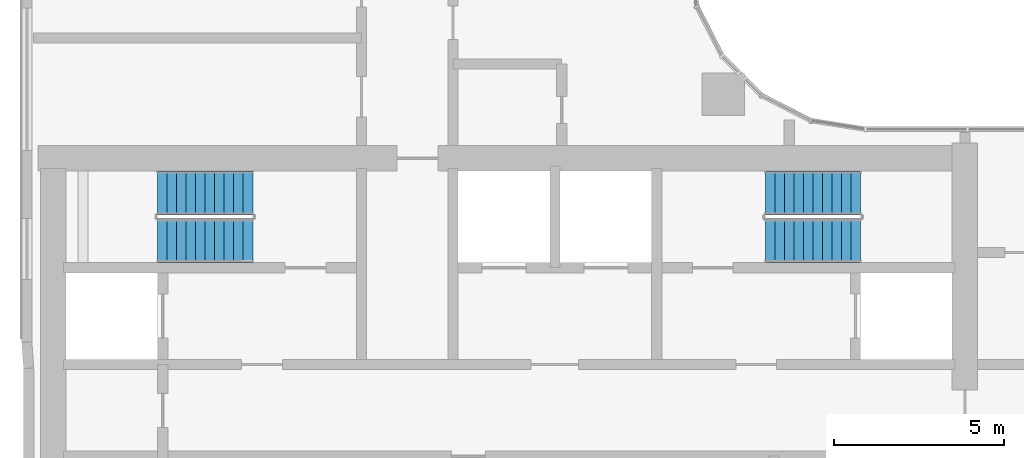
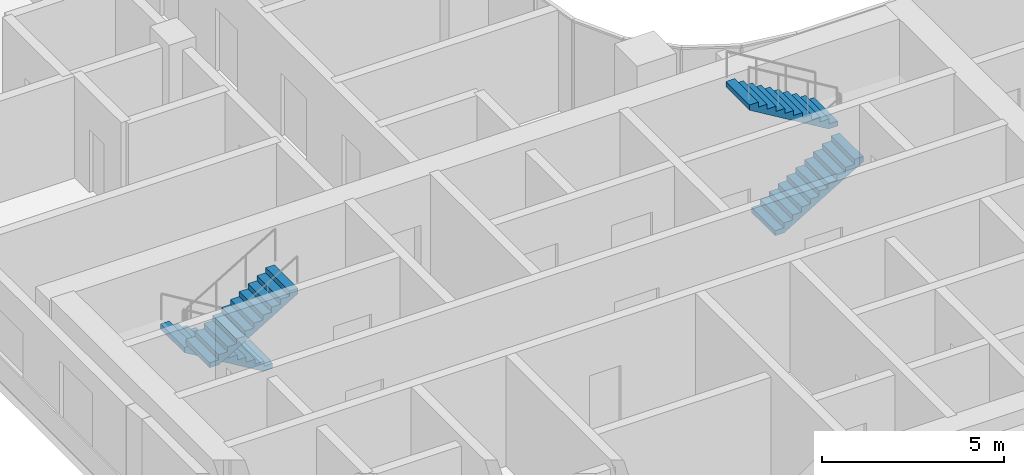
# One storey, part 27 of 35: 4 stair flights, 2 elements without a shape of their own.
"""IFC4 building model written with IfcOpenShell, lengths in metres."""

from ifc_helpers import new_model, si_unit, direction, frame, origin, place, context, subcontext, project, spatial, triangles, source, transform, mapped, material, type_object, element, aggregate, save


model = new_model("IFC4")

# Units and contexts
model_context = context("Model", 3, precision=1e-05, world=origin(), true_north=direction((0.0, 1.0)))
body_context = subcontext(model_context, "Body", "Model", "MODEL_VIEW")
ifc_project = project(units=[si_unit("LENGTHUNIT", "METRE"), si_unit("AREAUNIT", "SQUARE_METRE"), si_unit("VOLUMEUNIT", "CUBIC_METRE"), si_unit("PLANEANGLEUNIT", "RADIAN"), si_unit("MASSUNIT", "GRAM", prefix="KILO")], contexts=[model_context])

# Site, building, storey
site_placement = place(None, origin())
site = spatial("IfcSite", under=ifc_project, at=site_placement, CompositionType="ELEMENT")
building_placement = place(site_placement, origin())
building = spatial("IfcBuilding", under=site, at=building_placement, Name="Ogive Portal Towers", CompositionType="ELEMENT")
storey_placement = place(building_placement, frame((0.0, 0.0, 90.800048828125)))
storey = spatial("IfcBuildingStorey", under=building, at=storey_placement, Name="L21", CompositionType="ELEMENT", Elevation=90.800048828125)

# Stair, stair flights
ifc_material = material(Name="Concrete C40/50", Category="concrete")
stair_type = type_object("IfcStairType", Name="INT-STAIR", PredefinedType="HALF_TURN_STAIR", material=ifc_material)
stair_1_placement = place(storey_placement, origin())
stair_1 = element("IfcStair", 1, at=stair_1_placement, inside=storey, type_object=stair_type, Name="L21 Exit Stair ST-A1", PredefinedType="HALF_TURN_STAIR")
stair_flight_type = type_object("IfcStairFlightType", Name="INT-FLIGHT", PredefinedType="STRAIGHT", material=ifc_material)
shared_shape = source(origin(), body_context, "Body", "Tessellation", [
    triangles([(0.0, -0.650146484375, 0.0), (0.0, -0.376220703125, 0.0), (0.0, -0.192626953125, 0.0), (0.0, -0.081298828125, 0.0), (0.0, -0.024169921875, 0.0), (0.0, -0.003173828125, 0.0), (0.0, 0.0, 0.0), (0.0, 0.0029296875, 0.0), (0.0, 0.02392578125, 0.0), (0.0, 0.0810546875, 0.0), (0.0, 0.1923828125, 0.0), (0.0, 0.3759765625, 0.0), (0.0, 0.64990234375, 0.0), (0.0, -0.650146484375, 0.168212890625), (0.0, -0.376220703125, 0.168212890625), (0.0, -0.192626953125, 0.168212890625), (0.0, -0.081298828125, 0.168212890625), (0.0, -0.024169921875, 0.168212890625), (0.0, -0.003173828125, 0.168212890625), (0.0, 0.0, 0.168212890625), (0.0, 0.0029296875, 0.168212890625), (0.0, 0.02392578125, 0.168212890625), (0.0, 0.0810546875, 0.168212890625), (0.0, 0.1923828125, 0.168212890625), (0.0, 0.3759765625, 0.168212890625), (0.0, 0.64990234375, 0.168212890625), (0.280029296875, -0.650146484375, 0.168212890625), (0.280029296875, -0.376220703125, 0.168212890625), (0.280029296875, -0.192626953125, 0.168212890625), (0.280029296875, -0.081298828125, 0.168212890625), (0.280029296875, -0.024169921875, 0.168212890625), (0.280029296875, -0.003173828125, 0.168212890625), (0.280029296875, 0.0, 0.168212890625), (0.280029296875, 0.0029296875, 0.168212890625), (0.280029296875, 0.02392578125, 0.168212890625), (0.280029296875, 0.0810546875, 0.168212890625), (0.280029296875, 0.1923828125, 0.168212890625), (0.280029296875, 0.3759765625, 0.168212890625), (0.280029296875, 0.64990234375, 0.168212890625), (0.280029296875, -0.650146484375, 0.33642578125), (0.280029296875, -0.376220703125, 0.33642578125), (0.280029296875, -0.192626953125, 0.33642578125), (0.280029296875, -0.081298828125, 0.33642578125), (0.280029296875, -0.024169921875, 0.33642578125), (0.280029296875, -0.003173828125, 0.33642578125), (0.280029296875, 0.0, 0.33642578125), (0.280029296875, 0.0029296875, 0.33642578125), (0.280029296875, 0.02392578125, 0.33642578125), (0.280029296875, 0.0810546875, 0.33642578125), (0.280029296875, 0.1923828125, 0.33642578125), (0.280029296875, 0.3759765625, 0.33642578125), (0.280029296875, 0.64990234375, 0.33642578125), (0.56005859375, -0.650146484375, 0.33642578125), (0.56005859375, -0.376220703125, 0.33642578125), (0.56005859375, -0.192626953125, 0.33642578125), (0.56005859375, -0.081298828125, 0.33642578125), (0.56005859375, -0.024169921875, 0.33642578125), (0.56005859375, -0.003173828125, 0.33642578125), (0.56005859375, 0.0, 0.33642578125), (0.56005859375, 0.0029296875, 0.33642578125), (0.56005859375, 0.02392578125, 0.33642578125), (0.56005859375, 0.0810546875, 0.33642578125), (0.56005859375, 0.1923828125, 0.33642578125), (0.56005859375, 0.3759765625, 0.33642578125), (0.56005859375, 0.64990234375, 0.33642578125), (0.56005859375, -0.650146484375, 0.504638671875), (0.56005859375, -0.376220703125, 0.504638671875), (0.56005859375, -0.192626953125, 0.504638671875), (0.56005859375, -0.081298828125, 0.504638671875), (0.56005859375, -0.024169921875, 0.504638671875), (0.56005859375, -0.003173828125, 0.504638671875), (0.56005859375, 0.0, 0.504638671875), (0.56005859375, 0.0029296875, 0.504638671875), (0.56005859375, 0.02392578125, 0.504638671875), (0.56005859375, 0.0810546875, 0.504638671875), (0.56005859375, 0.1923828125, 0.504638671875), (0.56005859375, 0.3759765625, 0.504638671875), (0.56005859375, 0.64990234375, 0.504638671875), (0.840087890625, -0.650146484375, 0.504638671875), (0.840087890625, -0.376220703125, 0.504638671875), (0.840087890625, -0.192626953125, 0.504638671875), (0.840087890625, -0.081298828125, 0.504638671875), (0.840087890625, -0.024169921875, 0.504638671875), (0.840087890625, -0.003173828125, 0.504638671875), (0.840087890625, 0.0, 0.504638671875), (0.840087890625, 0.0029296875, 0.504638671875), (0.840087890625, 0.02392578125, 0.504638671875), (0.840087890625, 0.0810546875, 0.504638671875), (0.840087890625, 0.1923828125, 0.504638671875), (0.840087890625, 0.3759765625, 0.504638671875), (0.840087890625, 0.64990234375, 0.504638671875), (0.840087890625, -0.650146484375, 0.672607421875), (0.840087890625, -0.376220703125, 0.672607421875), (0.840087890625, -0.192626953125, 0.672607421875), (0.840087890625, -0.081298828125, 0.672607421875), (0.840087890625, -0.024169921875, 0.672607421875), (0.840087890625, -0.003173828125, 0.672607421875), (0.840087890625, 0.0, 0.672607421875), (0.840087890625, 0.0029296875, 0.672607421875), (0.840087890625, 0.02392578125, 0.672607421875), (0.840087890625, 0.0810546875, 0.672607421875), (0.840087890625, 0.1923828125, 0.672607421875), (0.840087890625, 0.3759765625, 0.672607421875), (0.840087890625, 0.64990234375, 0.672607421875), (1.1201171875, -0.650146484375, 0.672607421875), (1.1201171875, -0.376220703125, 0.672607421875), (1.1201171875, -0.192626953125, 0.672607421875), (1.1201171875, -0.081298828125, 0.672607421875), (1.1201171875, -0.024169921875, 0.672607421875), (1.1201171875, -0.003173828125, 0.672607421875), (1.1201171875, 0.0, 0.672607421875), (1.1201171875, 0.0029296875, 0.672607421875), (1.1201171875, 0.02392578125, 0.672607421875), (1.1201171875, 0.0810546875, 0.672607421875), (1.1201171875, 0.1923828125, 0.672607421875), (1.1201171875, 0.3759765625, 0.672607421875), (1.1201171875, 0.64990234375, 0.672607421875), (1.1201171875, -0.650146484375, 0.8408203125), (1.1201171875, -0.376220703125, 0.8408203125), (1.1201171875, -0.192626953125, 0.8408203125), (1.1201171875, -0.081298828125, 0.8408203125), (1.1201171875, -0.024169921875, 0.8408203125), (1.1201171875, -0.003173828125, 0.8408203125), (1.1201171875, 0.0, 0.8408203125), (1.1201171875, 0.0029296875, 0.8408203125), (1.1201171875, 0.02392578125, 0.8408203125), (1.1201171875, 0.0810546875, 0.8408203125), (1.1201171875, 0.1923828125, 0.8408203125), (1.1201171875, 0.3759765625, 0.8408203125), (1.1201171875, 0.64990234375, 0.8408203125), (1.39990234375, -0.650146484375, 0.8408203125), (1.39990234375, -0.376220703125, 0.8408203125), (1.39990234375, -0.192626953125, 0.8408203125), (1.39990234375, -0.081298828125, 0.8408203125), (1.39990234375, -0.024169921875, 0.8408203125), (1.39990234375, -0.003173828125, 0.8408203125), (1.39990234375, 0.0, 0.8408203125), (1.39990234375, 0.0029296875, 0.8408203125), (1.39990234375, 0.02392578125, 0.8408203125), (1.39990234375, 0.0810546875, 0.8408203125), (1.39990234375, 0.1923828125, 0.8408203125), (1.39990234375, 0.3759765625, 0.8408203125), (1.39990234375, 0.64990234375, 0.8408203125), (1.39990234375, -0.650146484375, 1.009033203125), (1.39990234375, -0.376220703125, 1.009033203125), (1.39990234375, -0.192626953125, 1.009033203125), (1.39990234375, -0.081298828125, 1.009033203125), (1.39990234375, -0.024169921875, 1.009033203125), (1.39990234375, -0.003173828125, 1.009033203125), (1.39990234375, 0.0, 1.009033203125), (1.39990234375, 0.0029296875, 1.009033203125), (1.39990234375, 0.02392578125, 1.009033203125), (1.39990234375, 0.0810546875, 1.009033203125), (1.39990234375, 0.1923828125, 1.009033203125), (1.39990234375, 0.3759765625, 1.009033203125), (1.39990234375, 0.64990234375, 1.009033203125), (1.679931640625, -0.650146484375, 1.009033203125), (1.679931640625, -0.376220703125, 1.009033203125), (1.679931640625, -0.192626953125, 1.009033203125), (1.679931640625, -0.081298828125, 1.009033203125), (1.679931640625, -0.024169921875, 1.009033203125), (1.679931640625, -0.003173828125, 1.009033203125), (1.679931640625, 0.0, 1.009033203125), (1.679931640625, 0.0029296875, 1.009033203125), (1.679931640625, 0.02392578125, 1.009033203125), (1.679931640625, 0.0810546875, 1.009033203125), (1.679931640625, 0.1923828125, 1.009033203125), (1.679931640625, 0.3759765625, 1.009033203125), (1.679931640625, 0.64990234375, 1.009033203125), (1.679931640625, -0.650146484375, 1.17724609375), (1.679931640625, -0.376220703125, 1.17724609375), (1.679931640625, -0.192626953125, 1.17724609375), (1.679931640625, -0.081298828125, 1.17724609375), (1.679931640625, -0.024169921875, 1.17724609375), (1.679931640625, -0.003173828125, 1.17724609375), (1.679931640625, 0.0, 1.17724609375), (1.679931640625, 0.0029296875, 1.17724609375), (1.679931640625, 0.02392578125, 1.17724609375), (1.679931640625, 0.0810546875, 1.17724609375), (1.679931640625, 0.1923828125, 1.17724609375), (1.679931640625, 0.3759765625, 1.17724609375), (1.679931640625, 0.64990234375, 1.17724609375), (1.9599609375, -0.650146484375, 1.17724609375), (1.9599609375, -0.376220703125, 1.17724609375), (1.9599609375, -0.192626953125, 1.17724609375), (1.9599609375, -0.081298828125, 1.17724609375), (1.9599609375, -0.024169921875, 1.17724609375), (1.9599609375, -0.003173828125, 1.17724609375), (1.9599609375, 0.0, 1.17724609375), (1.9599609375, 0.0029296875, 1.17724609375), (1.9599609375, 0.02392578125, 1.17724609375), (1.9599609375, 0.0810546875, 1.17724609375), (1.9599609375, 0.1923828125, 1.17724609375), (1.9599609375, 0.3759765625, 1.17724609375), (1.9599609375, 0.64990234375, 1.17724609375), (1.9599609375, -0.650146484375, 1.345458984375), (1.9599609375, -0.376220703125, 1.345458984375), (1.9599609375, -0.192626953125, 1.345458984375), (1.9599609375, -0.081298828125, 1.345458984375), (1.9599609375, -0.024169921875, 1.345458984375), (1.9599609375, -0.003173828125, 1.345458984375), (1.9599609375, 0.0, 1.345458984375), (1.9599609375, 0.0029296875, 1.345458984375), (1.9599609375, 0.02392578125, 1.345458984375), (1.9599609375, 0.0810546875, 1.345458984375), (1.9599609375, 0.1923828125, 1.345458984375), (1.9599609375, 0.3759765625, 1.345458984375), (1.9599609375, 0.64990234375, 1.345458984375), (2.239990234375, -0.650146484375, 1.345458984375), (2.239990234375, -0.376220703125, 1.345458984375), (2.239990234375, -0.192626953125, 1.345458984375), (2.239990234375, -0.081298828125, 1.345458984375), (2.239990234375, -0.024169921875, 1.345458984375), (2.239990234375, -0.003173828125, 1.345458984375), (2.239990234375, 0.0, 1.345458984375), (2.239990234375, 0.0029296875, 1.345458984375), (2.239990234375, 0.02392578125, 1.345458984375), (2.239990234375, 0.0810546875, 1.345458984375), (2.239990234375, 0.1923828125, 1.345458984375), (2.239990234375, 0.3759765625, 1.345458984375), (2.239990234375, 0.64990234375, 1.345458984375), (2.239990234375, -0.650146484375, 1.513671875), (2.239990234375, -0.376220703125, 1.513671875), (2.239990234375, -0.192626953125, 1.513671875), (2.239990234375, -0.081298828125, 1.513671875), (2.239990234375, -0.024169921875, 1.513671875), (2.239990234375, -0.003173828125, 1.513671875), (2.239990234375, 0.0, 1.513671875), (2.239990234375, 0.0029296875, 1.513671875), (2.239990234375, 0.02392578125, 1.513671875), (2.239990234375, 0.0810546875, 1.513671875), (2.239990234375, 0.1923828125, 1.513671875), (2.239990234375, 0.3759765625, 1.513671875), (2.239990234375, 0.64990234375, 1.513671875), (2.52001953125, -0.650146484375, 1.513671875), (2.52001953125, -0.376220703125, 1.513671875), (2.52001953125, -0.192626953125, 1.513671875), (2.52001953125, -0.081298828125, 1.513671875), (2.52001953125, -0.024169921875, 1.513671875), (2.52001953125, -0.003173828125, 1.513671875), (2.52001953125, 0.0, 1.513671875), (2.52001953125, 0.0029296875, 1.513671875), (2.52001953125, 0.02392578125, 1.513671875), (2.52001953125, 0.0810546875, 1.513671875), (2.52001953125, 0.1923828125, 1.513671875), (2.52001953125, 0.3759765625, 1.513671875), (2.52001953125, 0.64990234375, 1.513671875), (2.52001953125, -0.650146484375, 1.681884765625), (2.52001953125, -0.376220703125, 1.681884765625), (2.52001953125, -0.192626953125, 1.681884765625), (2.52001953125, -0.081298828125, 1.681884765625), (2.52001953125, -0.024169921875, 1.681884765625), (2.52001953125, -0.003173828125, 1.681884765625), (2.52001953125, 0.0, 1.681884765625), (2.52001953125, 0.0029296875, 1.681884765625), (2.52001953125, 0.02392578125, 1.681884765625), (2.52001953125, 0.0810546875, 1.681884765625), (2.52001953125, 0.1923828125, 1.681884765625), (2.52001953125, 0.3759765625, 1.681884765625), (2.52001953125, 0.64990234375, 1.681884765625), (2.800048828125, -0.650146484375, 1.681884765625), (2.800048828125, -0.376220703125, 1.681884765625), (2.800048828125, -0.192626953125, 1.681884765625), (2.800048828125, -0.081298828125, 1.681884765625), (2.800048828125, -0.024169921875, 1.681884765625), (2.800048828125, -0.003173828125, 1.681884765625), (2.800048828125, 0.0, 1.681884765625), (2.800048828125, 0.0029296875, 1.681884765625), (2.800048828125, 0.02392578125, 1.681884765625), (2.800048828125, 0.0810546875, 1.681884765625), (2.800048828125, 0.1923828125, 1.681884765625), (2.800048828125, 0.3759765625, 1.681884765625), (2.800048828125, 0.64990234375, 1.681884765625), (2.800048828125, -0.650146484375, 1.5068359375), (2.800048828125, -0.376220703125, 1.5068359375), (2.800048828125, -0.192626953125, 1.5068359375), (2.800048828125, -0.081298828125, 1.5068359375), (2.800048828125, -0.024169921875, 1.5068359375), (2.800048828125, -0.003173828125, 1.5068359375), (2.800048828125, 0.0, 1.5068359375), (2.800048828125, 0.0029296875, 1.5068359375), (2.800048828125, 0.02392578125, 1.5068359375), (2.800048828125, 0.0810546875, 1.5068359375), (2.800048828125, 0.1923828125, 1.5068359375), (2.800048828125, 0.3759765625, 1.5068359375), (2.800048828125, 0.64990234375, 1.5068359375), (0.291015625, -0.650146484375, 0.0), (0.291015625, -0.376220703125, 0.0), (0.291015625, -0.192626953125, 0.0), (0.291015625, -0.081298828125, 0.0), (0.291015625, -0.024169921875, 0.0), (0.291015625, -0.003173828125, 0.0), (0.291015625, 0.0, 0.0), (0.291015625, 0.0029296875, 0.0), (0.291015625, 0.02392578125, 0.0), (0.291015625, 0.0810546875, 0.0), (0.291015625, 0.1923828125, 0.0), (0.291015625, 0.3759765625, 0.0), (0.291015625, 0.64990234375, 0.0)], [[1, 14, 15], [1, 15, 2], [2, 15, 16], [2, 16, 3], [3, 16, 17], [3, 17, 4], [4, 17, 18], [4, 18, 5], [5, 18, 19], [5, 19, 6], [6, 19, 20], [6, 20, 7], [7, 20, 21], [7, 21, 8], [8, 21, 22], [8, 22, 9], [9, 22, 23], [9, 23, 10], [10, 23, 24], [10, 24, 11], [11, 24, 25], [11, 25, 12], [12, 25, 26], [12, 26, 13], [14, 27, 28], [14, 28, 15], [15, 28, 29], [15, 29, 16], [16, 29, 30], [16, 30, 17], [17, 30, 31], [17, 31, 18], [18, 31, 32], [18, 32, 19], [19, 32, 33], [19, 33, 20], [20, 33, 34], [20, 34, 21], [21, 34, 35], [21, 35, 22], [22, 35, 36], [22, 36, 23], [23, 36, 37], [23, 37, 24], [24, 37, 38], [24, 38, 25], [25, 38, 39], [25, 39, 26], [27, 40, 41], [27, 41, 28], [28, 41, 42], [28, 42, 29], [29, 42, 43], [29, 43, 30], [30, 43, 44], [30, 44, 31], [31, 44, 45], [31, 45, 32], [32, 45, 46], [32, 46, 33], [33, 46, 47], [33, 47, 34], [34, 47, 48], [34, 48, 35], [35, 48, 49], [35, 49, 36], [36, 49, 50], [36, 50, 37], [37, 50, 51], [37, 51, 38], [38, 51, 52], [38, 52, 39], [40, 53, 54], [40, 54, 41], [41, 54, 55], [41, 55, 42], [42, 55, 56], [42, 56, 43], [43, 56, 57], [43, 57, 44], [44, 57, 58], [44, 58, 45], [45, 58, 59], [45, 59, 46], [46, 59, 60], [46, 60, 47], [47, 60, 61], [47, 61, 48], [48, 61, 62], [48, 62, 49], [49, 62, 63], [49, 63, 50], [50, 63, 64], [50, 64, 51], [51, 64, 65], [51, 65, 52], [53, 66, 67], [53, 67, 54], [54, 67, 68], [54, 68, 55], [55, 68, 69], [55, 69, 56], [56, 69, 70], [56, 70, 57], [57, 70, 71], [57, 71, 58], [58, 71, 72], [58, 72, 59], [59, 72, 73], [59, 73, 60], [60, 73, 74], [60, 74, 61], [61, 74, 75], [61, 75, 62], [62, 75, 76], [62, 76, 63], [63, 76, 77], [63, 77, 64], [64, 77, 78], [64, 78, 65], [66, 79, 80], [66, 80, 67], [67, 80, 81], [67, 81, 68], [68, 81, 82], [68, 82, 69], [69, 82, 83], [69, 83, 70], [70, 83, 84], [70, 84, 71], [71, 84, 85], [71, 85, 72], [72, 85, 86], [72, 86, 73], [73, 86, 87], [73, 87, 74], [74, 87, 88], [74, 88, 75], [75, 88, 89], [75, 89, 76], [76, 89, 90], [76, 90, 77], [77, 90, 91], [77, 91, 78], [79, 92, 93], [79, 93, 80], [80, 93, 94], [80, 94, 81], [81, 94, 95], [81, 95, 82], [82, 95, 96], [82, 96, 83], [83, 96, 97], [83, 97, 84], [84, 97, 98], [84, 98, 85], [85, 98, 99], [85, 99, 86], [86, 99, 100], [86, 100, 87], [87, 100, 101], [87, 101, 88], [88, 101, 102], [88, 102, 89], [89, 102, 103], [89, 103, 90], [90, 103, 104], [90, 104, 91], [92, 105, 106], [92, 106, 93], [93, 106, 107], [93, 107, 94], [94, 107, 108], [94, 108, 95], [95, 108, 109], [95, 109, 96], [96, 109, 110], [96, 110, 97], [97, 110, 111], [97, 111, 98], [98, 111, 112], [98, 112, 99], [99, 112, 113], [99, 113, 100], [100, 113, 114], [100, 114, 101], [101, 114, 115], [101, 115, 102], [102, 115, 116], [102, 116, 103], [103, 116, 117], [103, 117, 104], [105, 118, 119], [105, 119, 106], [106, 119, 120], [106, 120, 107], [107, 120, 121], [107, 121, 108], [108, 121, 122], [108, 122, 109], [109, 122, 123], [109, 123, 110], [110, 123, 124], [110, 124, 111], [111, 124, 125], [111, 125, 112], [112, 125, 126], [112, 126, 113], [113, 126, 127], [113, 127, 114], [114, 127, 128], [114, 128, 115], [115, 128, 129], [115, 129, 116], [116, 129, 130], [116, 130, 117], [118, 131, 132], [118, 132, 119], [119, 132, 133], [119, 133, 120], [120, 133, 134], [120, 134, 121], [121, 134, 135], [121, 135, 122], [122, 135, 136], [122, 136, 123], [123, 136, 137], [123, 137, 124], [124, 137, 138], [124, 138, 125], [125, 138, 139], [125, 139, 126], [126, 139, 140], [126, 140, 127], [127, 140, 141], [127, 141, 128], [128, 141, 142], [128, 142, 129], [129, 142, 143], [129, 143, 130], [131, 144, 145], [131, 145, 132], [132, 145, 146], [132, 146, 133], [133, 146, 147], [133, 147, 134], [134, 147, 148], [134, 148, 135], [135, 148, 149], [135, 149, 136], [136, 149, 150], [136, 150, 137], [137, 150, 151], [137, 151, 138], [138, 151, 152], [138, 152, 139], [139, 152, 153], [139, 153, 140], [140, 153, 154], [140, 154, 141], [141, 154, 155], [141, 155, 142], [142, 155, 156], [142, 156, 143], [144, 157, 158], [144, 158, 145], [145, 158, 159], [145, 159, 146], [146, 159, 160], [146, 160, 147], [147, 160, 161], [147, 161, 148], [148, 161, 162], [148, 162, 149], [149, 162, 163], [149, 163, 150], [150, 163, 164], [150, 164, 151], [151, 164, 165], [151, 165, 152], [152, 165, 166], [152, 166, 153], [153, 166, 167], [153, 167, 154], [154, 167, 168], [154, 168, 155], [155, 168, 169], [155, 169, 156], [157, 170, 171], [157, 171, 158], [158, 171, 172], [158, 172, 159], [159, 172, 173], [159, 173, 160], [160, 173, 174], [160, 174, 161], [161, 174, 175], [161, 175, 162], [162, 175, 176], [162, 176, 163], [163, 176, 177], [163, 177, 164], [164, 177, 178], [164, 178, 165], [165, 178, 179], [165, 179, 166], [166, 179, 180], [166, 180, 167], [167, 180, 181], [167, 181, 168], [168, 181, 182], [168, 182, 169], [170, 183, 184], [170, 184, 171], [171, 184, 185], [171, 185, 172], [172, 185, 186], [172, 186, 173], [173, 186, 187], [173, 187, 174], [174, 187, 188], [174, 188, 175], [175, 188, 189], [175, 189, 176], [176, 189, 190], [176, 190, 177], [177, 190, 191], [177, 191, 178], [178, 191, 192], [178, 192, 179], [179, 192, 193], [179, 193, 180], [180, 193, 194], [180, 194, 181], [181, 194, 195], [181, 195, 182], [183, 196, 197], [183, 197, 184], [184, 197, 198], [184, 198, 185], [185, 198, 199], [185, 199, 186], [186, 199, 200], [186, 200, 187], [187, 200, 201], [187, 201, 188], [188, 201, 202], [188, 202, 189], [189, 202, 203], [189, 203, 190], [190, 203, 204], [190, 204, 191], [191, 204, 205], [191, 205, 192], [192, 205, 206], [192, 206, 193], [193, 206, 207], [193, 207, 194], [194, 207, 208], [194, 208, 195], [196, 209, 210], [196, 210, 197], [197, 210, 211], [197, 211, 198], [198, 211, 212], [198, 212, 199], [199, 212, 213], [199, 213, 200], [200, 213, 214], [200, 214, 201], [201, 214, 215], [201, 215, 202], [202, 215, 216], [202, 216, 203], [203, 216, 217], [203, 217, 204], [204, 217, 218], [204, 218, 205], [205, 218, 219], [205, 219, 206], [206, 219, 220], [206, 220, 207], [207, 220, 221], [207, 221, 208], [209, 222, 223], [209, 223, 210], [210, 223, 224], [210, 224, 211], [211, 224, 225], [211, 225, 212], [212, 225, 226], [212, 226, 213], [213, 226, 227], [213, 227, 214], [214, 227, 228], [214, 228, 215], [215, 228, 229], [215, 229, 216], [216, 229, 230], [216, 230, 217], [217, 230, 231], [217, 231, 218], [218, 231, 232], [218, 232, 219], [219, 232, 233], [219, 233, 220], [220, 233, 234], [220, 234, 221], [222, 235, 236], [222, 236, 223], [223, 236, 237], [223, 237, 224], [224, 237, 238], [224, 238, 225], [225, 238, 239], [225, 239, 226], [226, 239, 240], [226, 240, 227], [227, 240, 241], [227, 241, 228], [228, 241, 242], [228, 242, 229], [229, 242, 243], [229, 243, 230], [230, 243, 244], [230, 244, 231], [231, 244, 245], [231, 245, 232], [232, 245, 246], [232, 246, 233], [233, 246, 247], [233, 247, 234], [235, 248, 249], [235, 249, 236], [236, 249, 250], [236, 250, 237], [237, 250, 251], [237, 251, 238], [238, 251, 252], [238, 252, 239], [239, 252, 253], [239, 253, 240], [240, 253, 254], [240, 254, 241], [241, 254, 255], [241, 255, 242], [242, 255, 256], [242, 256, 243], [243, 256, 257], [243, 257, 244], [244, 257, 258], [244, 258, 245], [245, 258, 259], [245, 259, 246], [246, 259, 260], [246, 260, 247], [248, 261, 262], [248, 262, 249], [249, 262, 263], [249, 263, 250], [250, 263, 264], [250, 264, 251], [251, 264, 265], [251, 265, 252], [252, 265, 266], [252, 266, 253], [253, 266, 267], [253, 267, 254], [254, 267, 268], [254, 268, 255], [255, 268, 269], [255, 269, 256], [256, 269, 270], [256, 270, 257], [257, 270, 271], [257, 271, 258], [258, 271, 272], [258, 272, 259], [259, 272, 273], [259, 273, 260], [261, 274, 275], [261, 275, 262], [262, 275, 276], [262, 276, 263], [263, 276, 277], [263, 277, 264], [264, 277, 278], [264, 278, 265], [265, 278, 279], [265, 279, 266], [266, 279, 280], [266, 280, 267], [267, 280, 281], [267, 281, 268], [268, 281, 282], [268, 282, 269], [269, 282, 283], [269, 283, 270], [270, 283, 284], [270, 284, 271], [271, 284, 285], [271, 285, 272], [272, 285, 286], [272, 286, 273], [274, 287, 288], [274, 288, 275], [275, 288, 289], [275, 289, 276], [276, 289, 290], [276, 290, 277], [277, 290, 291], [277, 291, 278], [278, 291, 292], [278, 292, 279], [279, 292, 293], [279, 293, 280], [280, 293, 294], [280, 294, 281], [281, 294, 295], [281, 295, 282], [282, 295, 296], [282, 296, 283], [283, 296, 297], [283, 297, 284], [284, 297, 298], [284, 298, 285], [285, 298, 299], [285, 299, 286], [287, 1, 2], [287, 2, 288], [288, 2, 3], [288, 3, 289], [289, 3, 4], [289, 4, 290], [290, 4, 5], [290, 5, 291], [291, 5, 6], [291, 6, 292], [292, 6, 7], [292, 7, 293], [293, 7, 8], [293, 8, 294], [294, 8, 9], [294, 9, 295], [295, 9, 10], [295, 10, 296], [296, 10, 11], [296, 11, 297], [297, 11, 12], [297, 12, 298], [298, 12, 13], [298, 13, 299], [1, 287, 274], [13, 286, 299], [274, 261, 248], [286, 260, 273], [274, 248, 235], [286, 247, 260], [274, 235, 222], [286, 234, 247], [274, 222, 209], [286, 221, 234], [209, 196, 183], [221, 195, 208], [274, 209, 183], [286, 195, 221], [183, 170, 157], [195, 169, 182], [274, 183, 157], [286, 169, 195], [157, 144, 131], [169, 143, 156], [274, 157, 131], [286, 143, 169], [131, 118, 105], [143, 117, 130], [274, 131, 105], [286, 117, 143], [1, 274, 105], [13, 117, 286], [105, 92, 79], [117, 91, 104], [79, 66, 53], [91, 65, 78], [105, 79, 53], [117, 65, 91], [53, 40, 27], [65, 39, 52], [105, 53, 27], [117, 39, 65], [1, 105, 27], [13, 39, 117], [27, 14, 1], [39, 13, 26]], closed=True),
])
stair_flight_1_placement = place(storey_placement, frame((37.449951171875, 38.39990234375, 0.0), z_axis=(0.0, 0.0, 1.0), x_axis=(-1.0, 0.0, 0.0)))
stair_flight_1 = element("IfcStairFlight", 2, at=stair_flight_1_placement, type_object=stair_flight_type, Name="ST-A1 flight 1", NumberOfRisers=11, NumberOfTreads=10, PredefinedType="STRAIGHT", RiserHeight=0.168181818, TreadLength=0.28, context=body_context, shape_type="MappedRepresentation", body=[
    mapped(shared_shape, transform((0.0, 0.0, 0.0), scale=1.0)),
])
stair_flight_2_placement = place(storey_placement, frame((34.64990234375, 37.0, 1.849853515625), z_axis=(0.0, 0.0, 1.0), x_axis=(1.0, 0.0, 0.0)))
stair_flight_2 = element("IfcStairFlight", 3, at=stair_flight_2_placement, type_object=stair_flight_type, Name="ST-A1 flight 2", NumberOfRisers=11, NumberOfTreads=10, PredefinedType="STRAIGHT", RiserHeight=0.168181818, TreadLength=0.28, context=body_context, shape_type="MappedRepresentation", body=[
    mapped(shared_shape, transform((0.0, 0.0, 0.0), scale=1.0)),
])
aggregate(stair_1, [stair_flight_1, stair_flight_2])

stair_2_placement = place(storey_placement, origin())
stair_2 = element("IfcStair", 4, at=stair_2_placement, inside=storey, type_object=stair_type, Name="L21 Exit Stair ST-A2", PredefinedType="HALF_TURN_STAIR")
stair_flight_3_placement = place(storey_placement, frame((52.550048828125, 37.0, 0.0), z_axis=(0.0, 0.0, 1.0), x_axis=(1.0, 0.0, 0.0)))
stair_flight_3 = element("IfcStairFlight", 5, at=stair_flight_3_placement, type_object=stair_flight_type, Name="ST-A2 flight 1", NumberOfRisers=11, NumberOfTreads=10, PredefinedType="STRAIGHT", RiserHeight=0.168181818, TreadLength=0.28, context=body_context, shape_type="MappedRepresentation", body=[
    mapped(shared_shape, transform((0.0, 0.0, 0.0), scale=1.0)),
])
stair_flight_4_placement = place(storey_placement, frame((55.35009765625, 38.39990234375, 1.849853515625), z_axis=(0.0, 0.0, 1.0), x_axis=(-1.0, 0.0, 0.0)))
stair_flight_4 = element("IfcStairFlight", 6, at=stair_flight_4_placement, type_object=stair_flight_type, Name="ST-A2 flight 2", NumberOfRisers=11, NumberOfTreads=10, PredefinedType="STRAIGHT", RiserHeight=0.168181818, TreadLength=0.28, context=body_context, shape_type="MappedRepresentation", body=[
    mapped(shared_shape, transform((0.0, 0.0, 0.0), scale=1.0)),
])
aggregate(stair_2, [stair_flight_3, stair_flight_4])

save(model, "model.ifc")
